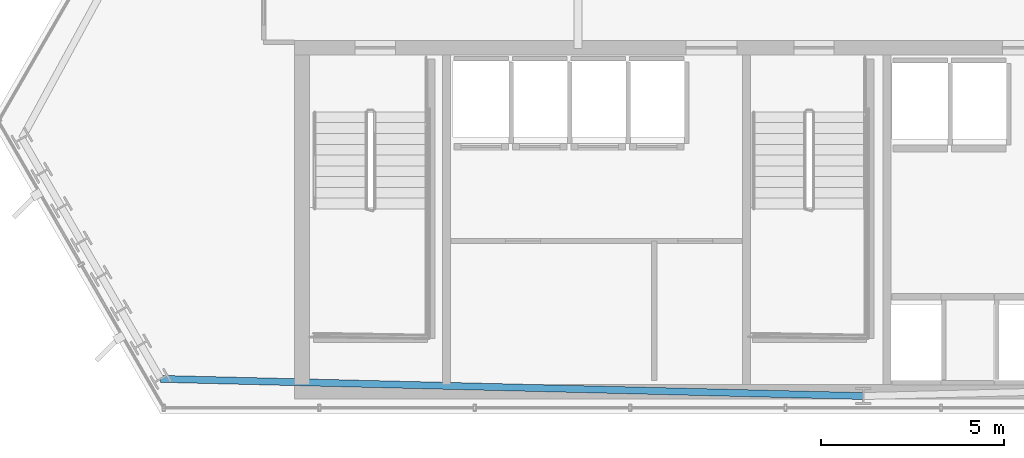
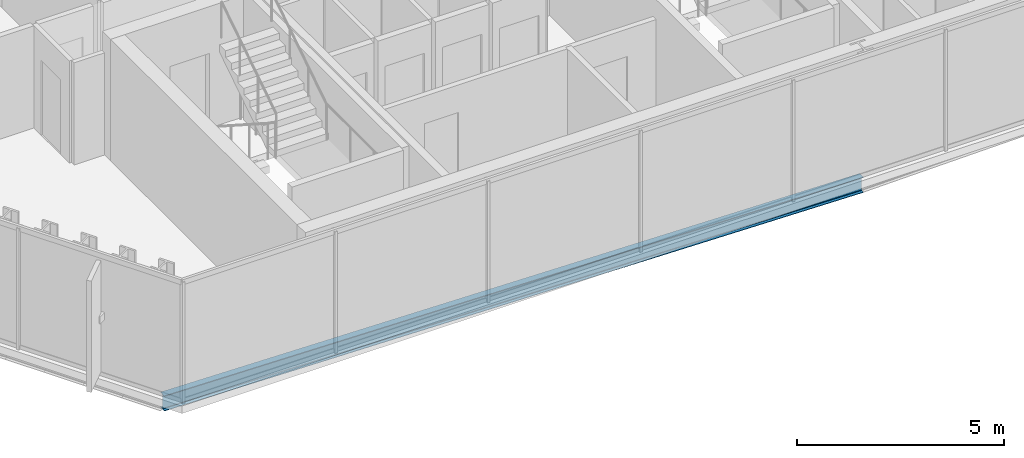
# One storey, part 3 of 34: 1 beam.
"""IFC4 building model written with IfcOpenShell, lengths in metres."""

from ifc_helpers import new_model, si_unit, direction, frame, origin, origin_2d, place, context, subcontext, project, spatial, i_section, extrude, material, material_profile, profile_set, type_object, element, save


model = new_model("IFC4")

# Units and contexts
model_context = context("Model", 3, precision=1e-05, world=origin(), true_north=direction((0.0, 1.0)))
body_context = subcontext(model_context, "Body", "Model", "MODEL_VIEW")
ifc_project = project(units=[si_unit("LENGTHUNIT", "METRE"), si_unit("AREAUNIT", "SQUARE_METRE"), si_unit("VOLUMEUNIT", "CUBIC_METRE"), si_unit("PLANEANGLEUNIT", "RADIAN"), si_unit("MASSUNIT", "GRAM", prefix="KILO")], contexts=[model_context])

# Site, building, storey
site_placement = place(None, origin())
site = spatial("IfcSite", under=ifc_project, at=site_placement, CompositionType="ELEMENT")
building_placement = place(site_placement, origin())
building = spatial("IfcBuilding", under=site, at=building_placement, Name="Ndaravel Arena Tower", CompositionType="ELEMENT")
storey_placement = place(building_placement, frame((0.0, 0.0, 195.39990234375)))
storey = spatial("IfcBuildingStorey", under=building, at=storey_placement, Name="L47", CompositionType="ELEMENT", Elevation=195.39990234375)

# Beam
ifc_material = material(Name="Steel S355", Category="steel")
ifc_material_profile = material_profile(ifc_material, i_section(OverallWidth=0.18994140625, OverallDepth=0.449951171875, WebThickness=0.009521484375, FlangeThickness=0.0146484375, FilletRadius=0.02099609375, at=origin_2d()), Name="IPE 450")
ifc_profile_set = profile_set([ifc_material_profile], Name="Steel S355")
beam_type = type_object("IfcBeamType", Name="BM-SPAN-IPE450", PredefinedType="SPANDREL", material=ifc_profile_set)
beam_placement = place(storey_placement, frame((22.784912109375, 5.94970703125, -0.44482421875), z_axis=(0.999701337361, -0.02443841399, 0.0), x_axis=(0.02443841399, 0.999701337361, 0.0)))
element("IfcBeam", 1, at=beam_placement, inside=storey, type_object=beam_type, Name="L47 Perimeter Spandrel Beam SP-27", PredefinedType="SPANDREL", context=body_context, shape_type="SweptSolid", body=[
    extrude(i_section(OverallWidth=0.18994140625, OverallDepth=0.449951171875, WebThickness=0.009521484375, FlangeThickness=0.0146484375, FilletRadius=0.02099609375, at=origin_2d()), origin(), (0.0, 0.0, 1.0), 19.220947265625),
])

save(model, "model.ifc")
